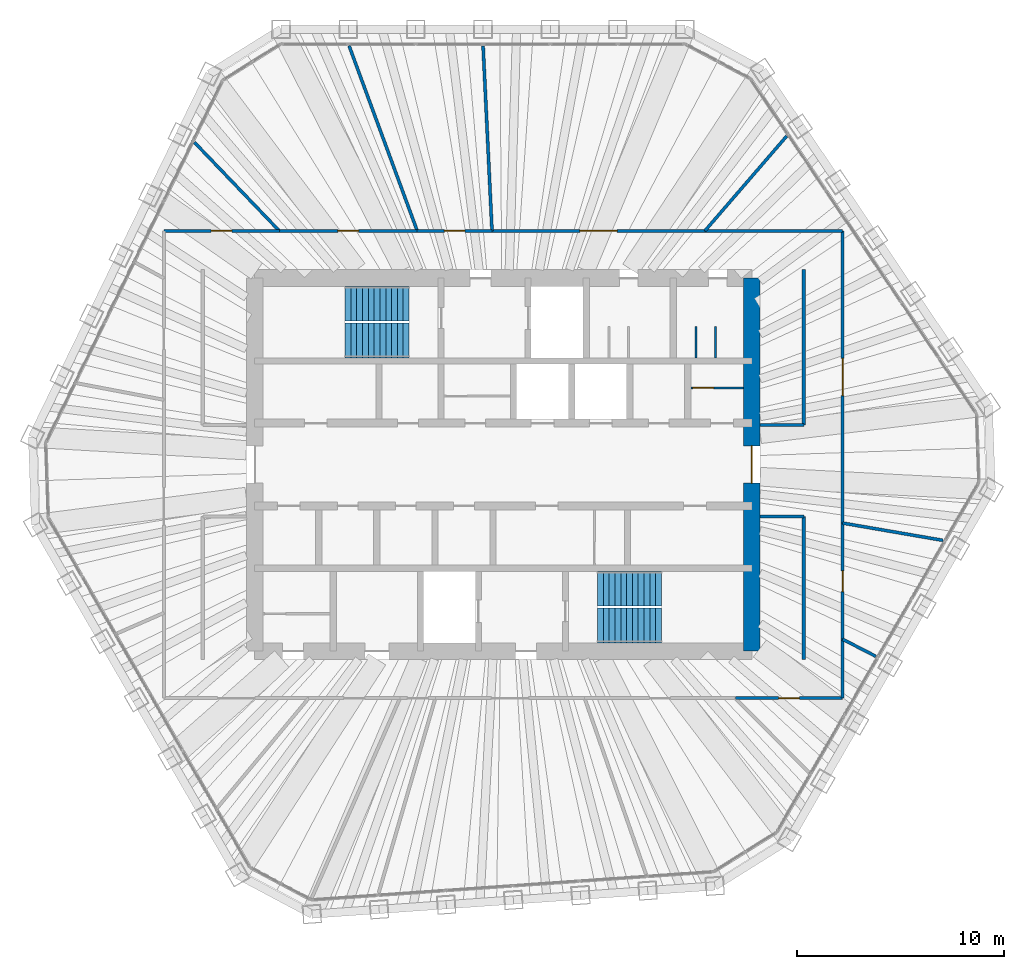
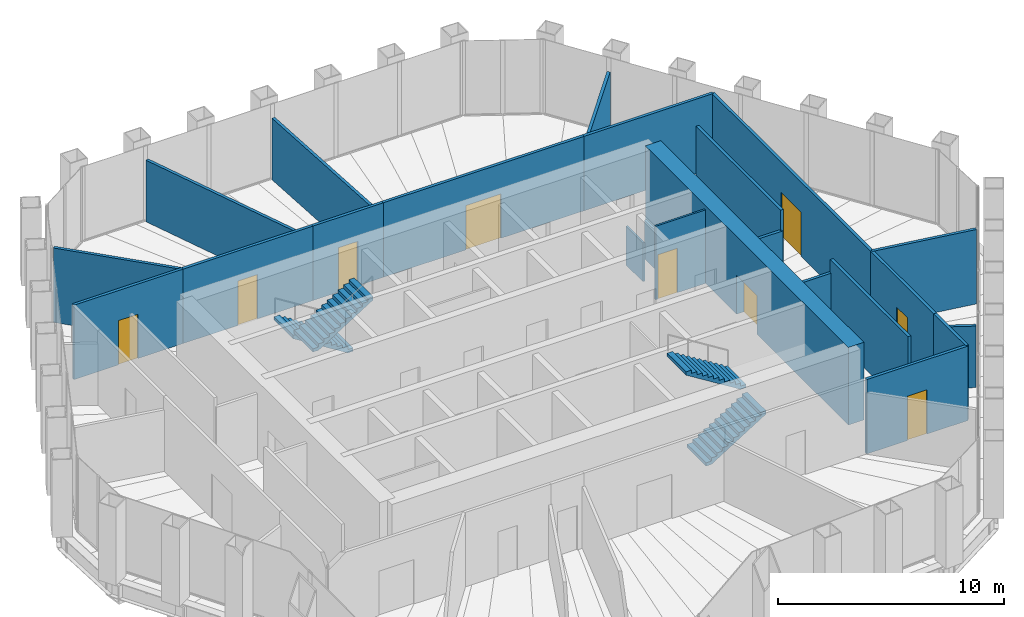
# One storey, part 13 of 14: 23 walls, 9 doors, 4 stair flights, 9 openings, 2 elements without a shape of their own.
"""IFC4 building model written with IfcOpenShell, lengths in metres."""

from ifc_helpers import new_model, si_unit, direction, frame, frame_2d, origin, place, context, subcontext, project, spatial, polyline, rectangle, outline, extrude, material, layer, layer_set, type_object, element, fill, aggregate, save


model = new_model("IFC4")

# Units and contexts
model_context = context("Model", 3, precision=1e-05, world=origin(), true_north=direction((0.0, 1.0)))
body_context = subcontext(model_context, "Body", "Model", "MODEL_VIEW")
ifc_project = project(units=[si_unit("LENGTHUNIT", "METRE"), si_unit("AREAUNIT", "SQUARE_METRE"), si_unit("VOLUMEUNIT", "CUBIC_METRE"), si_unit("PLANEANGLEUNIT", "RADIAN"), si_unit("MASSUNIT", "GRAM", prefix="KILO")], contexts=[model_context])

# Site, building, storey
site_placement = place(None, origin())
site = spatial("IfcSite", under=ifc_project, at=site_placement, CompositionType="ELEMENT")
building_placement = place(site_placement, origin())
building = spatial("IfcBuilding", under=site, at=building_placement, Name="Qingtian Harvest Tower", CompositionType="ELEMENT")
storey_placement = place(building_placement, frame((0.0, 0.0, 304.0)))
storey = spatial("IfcBuildingStorey", under=building, at=storey_placement, Name="L67", CompositionType="ELEMENT", Elevation=304.0)

# Wall, opening, door
ifc_material_1 = material(Name="Concrete fc' 70 MPa", Category="concrete")
ifc_layer_1 = layer(ifc_material_1, 0.800048828125)
ifc_layer_set_1 = layer_set([ifc_layer_1], Name="Core wall RC4 800")
wall_type_1 = type_object("IfcWallType", Name="Core wall RC4 800", PredefinedType="SHEAR", material=ifc_layer_set_1)
wall_1_placement = place(storey_placement, frame((12.0, -9.0, 0.0), z_axis=(0.0, 0.0, 1.0), x_axis=(0.0, 1.0, 0.0)))
wall_1 = element("IfcWall", 1, at=wall_1_placement, inside=storey, type_object=wall_type_1, Name="Core wall CE L67", PredefinedType="SHEAR", context=body_context, shape_type="SweptSolid", body=[
    extrude(rectangle(XDim=18.0, YDim=0.800048828125, at=frame_2d((9.0, 0.0))), origin(), (0.0, 0.0, 1.0), 4.199951171875),
])
opening_1_placement = place(wall_1_placement, frame((8.10009765625, 0.0, 0.0)))
opening_1 = element("IfcOpeningElement", 2, at=opening_1_placement, cuts=wall_1, Name="Opening FD2", PredefinedType="OPENING", context=body_context, shape_type="SweptSolid", body=[
    extrude(rectangle(XDim=1.800048828125, YDim=2.10009765625, at=frame_2d((0.89990234375, 1.050048828125))), frame((0.0, 0.409912109375, 0.0), z_axis=(0.0, -1.0, 0.0), x_axis=(1.0, 0.0, 0.0)), (0.0, 0.0, 1.0), 0.820068359375),
])
ifc_material_2 = material(Name="Steel-faced door leaf", Category="steel")
door_type_1 = type_object("IfcDoorType", Name="Fire door FD2 double 1 HR", OperationType="DOUBLE_DOOR_DOUBLE_SWING", PredefinedType="DOOR", material=ifc_material_2)
door_1_placement = place(opening_1_placement, origin())
door_1 = element("IfcDoor", 3, at=door_1_placement, inside=storey, type_object=door_type_1, Name="LOBBY-E door L67", OperationType="DOUBLE_DOOR_DOUBLE_SWING", OverallHeight=2.10009765625, OverallWidth=1.800048828125, PredefinedType="DOOR", context=body_context, shape_type="SweptSolid", body=[
    extrude(rectangle(XDim=1.800048828125, YDim=2.10009765625, at=frame_2d((0.89990234375, 1.050048828125))), frame((0.0, 0.02490234375, 0.0), z_axis=(0.0, -1.0, 0.0), x_axis=(1.0, 0.0, 0.0)), (0.0, 0.0, 1.0), 0.050048828125),
])
fill(opening_1, door_1)

# Walls
ifc_material_3 = material(Name="Gypsum board on steel studs", Category="steel")
ifc_layer_2 = layer(ifc_material_3, 0.14990234375)
ifc_layer_set_2 = layer_set([ifc_layer_2], Name="Partition PT1 150")
wall_type_2 = type_object("IfcWallType", Name="Partition PT1 150", PredefinedType="PARTITIONING", material=ifc_layer_set_2)
wall_2_placement = place(storey_placement, frame((13.678466796875, 15.850341796875, 0.0), z_axis=(0.0, 0.0, 1.0), x_axis=(-0.65333269737, -0.757070925704, 0.0)))
element("IfcWall", 4, at=wall_2_placement, inside=storey, type_object=wall_type_2, Name="Boardroom wall L67", PredefinedType="PARTITIONING", context=body_context, shape_type="SweptSolid", body=[
    extrude(rectangle(XDim=6.043701171875, YDim=0.14990234375, at=frame_2d((3.02197265625, 0.0))), origin(), (0.0, 0.0, 1.0), 3.330078125),
])
wall_3_placement = place(storey_placement, frame((9.72998046875, 11.27490234375, 0.0), z_axis=(0.0, 0.0, 1.0), x_axis=(1.0, 0.0, 0.0)))
element("IfcWall", 5, at=wall_3_placement, inside=storey, type_object=wall_type_2, Name="Boardroom wall L67", PredefinedType="PARTITIONING", context=body_context, shape_type="SweptSolid", body=[
    extrude(rectangle(XDim=6.64501953125, YDim=0.14990234375, at=frame_2d((3.322509765625, 0.0))), origin(), (0.0, 0.0, 1.0), 4.030029296875),
])

# Wall, opening, door
wall_4_placement = place(storey_placement, frame((16.375, 11.27490234375, 0.0), z_axis=(0.0, 0.0, 1.0), x_axis=(0.0, -1.0, 0.0)))
wall_4 = element("IfcWall", 6, at=wall_4_placement, inside=storey, type_object=wall_type_2, Name="Boardroom wall L67", PredefinedType="PARTITIONING", context=body_context, shape_type="SweptSolid", body=[
    extrude(rectangle(XDim=14.099609375, YDim=0.14990234375, at=frame_2d((7.0498046875, 0.0))), origin(), (0.0, 0.0, 1.0), 4.030029296875),
])
opening_2_placement = place(wall_4_placement, frame((6.14990234375, 0.0, 0.0)))
opening_2 = element("IfcOpeningElement", 7, at=opening_2_placement, cuts=wall_4, Name="Opening D3", PredefinedType="OPENING", context=body_context, shape_type="SweptSolid", body=[
    extrude(rectangle(XDim=1.800048828125, YDim=2.39990234375, at=frame_2d((0.89990234375, 1.199951171875))), frame((0.0, 0.0849609375, 0.0), z_axis=(0.0, -1.0, 0.0), x_axis=(1.0, 0.0, 0.0)), (0.0, 0.0, 1.0), 0.169921875),
])
ifc_material_4 = material(Name="Laminated timber door leaf", Category="wood")
door_type_2 = type_object("IfcDoorType", Name="Room door D3 double", OperationType="DOUBLE_DOOR_DOUBLE_SWING", PredefinedType="DOOR", material=ifc_material_4)
door_2_placement = place(opening_2_placement, origin())
door_2 = element("IfcDoor", 8, at=door_2_placement, inside=storey, type_object=door_type_2, Name="Boardroom door L67", OperationType="DOUBLE_DOOR_DOUBLE_SWING", OverallHeight=2.39990234375, OverallWidth=1.800048828125, PredefinedType="DOOR", context=body_context, shape_type="SweptSolid", body=[
    extrude(rectangle(XDim=1.800048828125, YDim=2.39990234375, at=frame_2d((0.89990234375, 1.199951171875))), frame((0.0, 0.02490234375, 0.0), z_axis=(0.0, -1.0, 0.0), x_axis=(1.0, 0.0, 0.0)), (0.0, 0.0, 1.0), 0.050048828125),
])
fill(opening_2, door_2)

# Wall
wall_5_placement = place(storey_placement, frame((21.218994140625, -3.66015625, 0.0), z_axis=(0.0, 0.0, 1.0), x_axis=(-0.98545065103, 0.169961802723, 0.0)))
element("IfcWall", 9, at=wall_5_placement, inside=storey, type_object=wall_type_2, Name="Private office wall L67", PredefinedType="PARTITIONING", context=body_context, shape_type="SweptSolid", body=[
    extrude(rectangle(XDim=4.91552734375, YDim=0.14990234375, at=frame_2d((2.457763671875, 0.0))), origin(), (0.0, 0.0, 1.0), 4.030029296875),
])

# Wall, opening, door
wall_6_placement = place(storey_placement, frame((16.375, -2.82470703125, 0.0), z_axis=(0.0, 0.0, 1.0), x_axis=(0.0, -1.0, 0.0)))
wall_6 = element("IfcWall", 10, at=wall_6_placement, inside=storey, type_object=wall_type_2, Name="Private office wall L67", PredefinedType="PARTITIONING", context=body_context, shape_type="SweptSolid", body=[
    extrude(rectangle(XDim=5.605712890625, YDim=0.14990234375, at=frame_2d((2.802734375, 0.0))), origin(), (0.0, 0.0, 1.0), 4.030029296875),
])
opening_3_placement = place(wall_6_placement, frame((2.302978515625, 0.0, 0.0)))
opening_3 = element("IfcOpeningElement", 11, at=opening_3_placement, cuts=wall_6, Name="Opening D2", PredefinedType="OPENING", context=body_context, shape_type="SweptSolid", body=[
    extrude(rectangle(XDim=1.0, YDim=2.39990234375, at=frame_2d((0.5, 1.199951171875))), frame((0.0, 0.0849609375, 0.0), z_axis=(0.0, -1.0, 0.0), x_axis=(1.0, 0.0, 0.0)), (0.0, 0.0, 1.0), 0.169921875),
])
ifc_material_5 = material(Name="Laminated timber door leaf", Category="wood")
door_type_3 = type_object("IfcDoorType", Name="Room door D2 single", OperationType="SINGLE_SWING_LEFT", PredefinedType="DOOR", material=ifc_material_5)
door_3_placement = place(opening_3_placement, origin())
door_3 = element("IfcDoor", 12, at=door_3_placement, inside=storey, type_object=door_type_3, Name="Private office door L67", OperationType="SINGLE_SWING_LEFT", OverallHeight=2.39990234375, OverallWidth=1.0, PredefinedType="DOOR", context=body_context, shape_type="SweptSolid", body=[
    extrude(rectangle(XDim=1.0, YDim=2.39990234375, at=frame_2d((0.5, 1.199951171875))), frame((0.0, 0.02490234375, 0.0), z_axis=(0.0, -1.0, 0.0), x_axis=(1.0, 0.0, 0.0)), (0.0, 0.0, 1.0), 0.050048828125),
])
fill(opening_3, door_3)

# Walls
wall_7_placement = place(storey_placement, frame((17.98046875, -9.257080078125, 0.0), z_axis=(0.0, 0.0, 1.0), x_axis=(-0.889064606085, 0.457781745165, 0.0)))
element("IfcWall", 13, at=wall_7_placement, inside=storey, type_object=wall_type_2, Name="Private office wall L67", PredefinedType="PARTITIONING", context=body_context, shape_type="SweptSolid", body=[
    extrude(rectangle(XDim=1.805908203125, YDim=0.14990234375, at=frame_2d((0.90283203125, 0.0))), origin(), (0.0, 0.0, 1.0), 3.330078125),
])
wall_8_placement = place(storey_placement, frame((16.375, -8.430419921875, 0.0), z_axis=(0.0, 0.0, 1.0), x_axis=(0.0, -1.0, 0.0)))
element("IfcWall", 14, at=wall_8_placement, inside=storey, type_object=wall_type_2, Name="Private office wall L67", PredefinedType="PARTITIONING", context=body_context, shape_type="SweptSolid", body=[
    extrude(rectangle(XDim=2.844482421875, YDim=0.14990234375, at=frame_2d((1.42236328125, 0.0))), origin(), (0.0, 0.0, 1.0), 4.030029296875),
])

# Wall, opening, door
wall_9_placement = place(storey_placement, frame((16.375, -11.27490234375, 0.0), z_axis=(0.0, 0.0, 1.0), x_axis=(-1.0, 0.0, 0.0)))
wall_9 = element("IfcWall", 15, at=wall_9_placement, inside=storey, type_object=wall_type_2, Name="Private office wall L67", PredefinedType="PARTITIONING", context=body_context, shape_type="SweptSolid", body=[
    extrude(rectangle(XDim=5.180908203125, YDim=0.14990234375, at=frame_2d((2.59033203125, 0.0))), origin(), (0.0, 0.0, 1.0), 4.030029296875),
])
opening_4_placement = place(wall_9_placement, frame((2.090576171875, 0.0, 0.0)))
opening_4 = element("IfcOpeningElement", 16, at=opening_4_placement, cuts=wall_9, Name="Opening D2", PredefinedType="OPENING", context=body_context, shape_type="SweptSolid", body=[
    extrude(rectangle(XDim=1.0, YDim=2.39990234375, at=frame_2d((0.5, 1.199951171875))), frame((0.0, 0.0849609375, 0.0), z_axis=(0.0, -1.0, 0.0), x_axis=(1.0, 0.0, 0.0)), (0.0, 0.0, 1.0), 0.169921875),
])
door_4_placement = place(opening_4_placement, origin())
door_4 = element("IfcDoor", 17, at=door_4_placement, inside=storey, type_object=door_type_3, Name="Private office door L67", OperationType="SINGLE_SWING_LEFT", OverallHeight=2.39990234375, OverallWidth=1.0, PredefinedType="DOOR", context=body_context, shape_type="SweptSolid", body=[
    extrude(rectangle(XDim=1.0, YDim=2.39990234375, at=frame_2d((0.5, 1.199951171875))), frame((0.0, 0.02490234375, 0.0), z_axis=(0.0, -1.0, 0.0), x_axis=(1.0, 0.0, 0.0)), (0.0, 0.0, 1.0), 0.050048828125),
])
fill(opening_4, door_4)

wall_10_placement = place(storey_placement, frame((-16.375, 11.27490234375, 0.0), z_axis=(0.0, 0.0, 1.0), x_axis=(1.0, 0.0, 0.0)))
wall_10 = element("IfcWall", 18, at=wall_10_placement, inside=storey, type_object=wall_type_2, Name="Meeting room wall L67", PredefinedType="PARTITIONING", context=body_context, shape_type="SweptSolid", body=[
    extrude(rectangle(XDim=5.567626953125, YDim=0.14990234375, at=frame_2d((2.78369140625, 0.0))), origin(), (0.0, 0.0, 1.0), 4.030029296875),
])
opening_5_placement = place(wall_10_placement, frame((2.28369140625, 0.0, 0.0)))
opening_5 = element("IfcOpeningElement", 19, at=opening_5_placement, cuts=wall_10, Name="Opening D2", PredefinedType="OPENING", context=body_context, shape_type="SweptSolid", body=[
    extrude(rectangle(XDim=1.0, YDim=2.39990234375, at=frame_2d((0.5, 1.199951171875))), frame((0.0, 0.0849609375, 0.0), z_axis=(0.0, -1.0, 0.0), x_axis=(1.0, 0.0, 0.0)), (0.0, 0.0, 1.0), 0.169921875),
])
door_5_placement = place(opening_5_placement, origin())
door_5 = element("IfcDoor", 20, at=door_5_placement, inside=storey, type_object=door_type_3, Name="Meeting room door L67", OperationType="SINGLE_SWING_RIGHT", OverallHeight=2.39990234375, OverallWidth=1.0, PredefinedType="DOOR", context=body_context, shape_type="SweptSolid", body=[
    extrude(rectangle(XDim=1.0, YDim=2.39990234375, at=frame_2d((0.5, 1.199951171875))), frame((0.0, 0.02490234375, 0.0), z_axis=(0.0, -1.0, 0.0), x_axis=(1.0, 0.0, 0.0)), (0.0, 0.0, 1.0), 0.050048828125),
])
fill(opening_5, door_5)

# Wall
wall_11_placement = place(storey_placement, frame((-14.89990234375, 15.54443359375, 0.0), z_axis=(0.0, 0.0, 1.0), x_axis=(0.691984258941, -0.72191258846, 0.0)))
element("IfcWall", 21, at=wall_11_placement, inside=storey, type_object=wall_type_2, Name="Workplace zone wall L67", PredefinedType="PARTITIONING", context=body_context, shape_type="SweptSolid", body=[
    extrude(rectangle(XDim=5.914306640625, YDim=0.14990234375, at=frame_2d((2.95703125, 0.0))), origin(), (0.0, 0.0, 1.0), 4.030029296875),
])

# Wall, opening, door
wall_12_placement = place(storey_placement, frame((-10.807373046875, 11.27490234375, 0.0), z_axis=(0.0, 0.0, 1.0), x_axis=(1.0, 0.0, 0.0)))
wall_12 = element("IfcWall", 22, at=wall_12_placement, inside=storey, type_object=wall_type_2, Name="Workplace zone wall L67", PredefinedType="PARTITIONING", context=body_context, shape_type="SweptSolid", body=[
    extrude(rectangle(XDim=6.656005859375, YDim=0.14990234375, at=frame_2d((3.328125, 0.0))), origin(), (0.0, 0.0, 1.0), 4.030029296875),
])
opening_6_placement = place(wall_12_placement, frame((2.828125, 0.0, 0.0)))
opening_6 = element("IfcOpeningElement", 23, at=opening_6_placement, cuts=wall_12, Name="Opening D2", PredefinedType="OPENING", context=body_context, shape_type="SweptSolid", body=[
    extrude(rectangle(XDim=1.0, YDim=2.39990234375, at=frame_2d((0.5, 1.199951171875))), frame((0.0, 0.0849609375, 0.0), z_axis=(0.0, -1.0, 0.0), x_axis=(1.0, 0.0, 0.0)), (0.0, 0.0, 1.0), 0.169921875),
])
door_6_placement = place(opening_6_placement, origin())
door_6 = element("IfcDoor", 24, at=door_6_placement, inside=storey, type_object=door_type_3, Name="Workplace zone door L67", OperationType="SINGLE_SWING_LEFT", OverallHeight=2.39990234375, OverallWidth=1.0, PredefinedType="DOOR", context=body_context, shape_type="SweptSolid", body=[
    extrude(rectangle(XDim=1.0, YDim=2.39990234375, at=frame_2d((0.5, 1.199951171875))), frame((0.0, 0.02490234375, 0.0), z_axis=(0.0, -1.0, 0.0), x_axis=(1.0, 0.0, 0.0)), (0.0, 0.0, 1.0), 0.050048828125),
])
fill(opening_6, door_6)

# Wall
wall_13_placement = place(storey_placement, frame((-7.439697265625, 20.2060546875, 0.0), z_axis=(0.0, 0.0, 1.0), x_axis=(0.345511582319, -0.93841448544, 0.0)))
element("IfcWall", 25, at=wall_13_placement, inside=storey, type_object=wall_type_2, Name="Quiet room wall L67", PredefinedType="PARTITIONING", context=body_context, shape_type="SweptSolid", body=[
    extrude(rectangle(XDim=9.517333984375, YDim=0.14990234375, at=frame_2d((4.7587890625, 0.0))), origin(), (0.0, 0.0, 1.0), 3.330078125),
])

# Wall, opening, door
wall_14_placement = place(storey_placement, frame((-4.1513671875, 11.27490234375, 0.0), z_axis=(0.0, 0.0, 1.0), x_axis=(1.0, 0.0, 0.0)))
wall_14 = element("IfcWall", 26, at=wall_14_placement, inside=storey, type_object=wall_type_2, Name="Quiet room wall L67", PredefinedType="PARTITIONING", context=body_context, shape_type="SweptSolid", body=[
    extrude(rectangle(XDim=3.608154296875, YDim=0.14990234375, at=frame_2d((1.80419921875, 0.0))), origin(), (0.0, 0.0, 1.0), 4.030029296875),
])
opening_7_placement = place(wall_14_placement, frame((1.303955078125, 0.0, 0.0)))
opening_7 = element("IfcOpeningElement", 27, at=opening_7_placement, cuts=wall_14, Name="Opening D2", PredefinedType="OPENING", context=body_context, shape_type="SweptSolid", body=[
    extrude(rectangle(XDim=1.0, YDim=2.39990234375, at=frame_2d((0.5, 1.199951171875))), frame((0.0, 0.0849609375, 0.0), z_axis=(0.0, -1.0, 0.0), x_axis=(1.0, 0.0, 0.0)), (0.0, 0.0, 1.0), 0.169921875),
])
door_7_placement = place(opening_7_placement, origin())
door_7 = element("IfcDoor", 28, at=door_7_placement, inside=storey, type_object=door_type_3, Name="Quiet room door L67", OperationType="SINGLE_SWING_LEFT", OverallHeight=2.39990234375, OverallWidth=1.0, PredefinedType="DOOR", context=body_context, shape_type="SweptSolid", body=[
    extrude(rectangle(XDim=1.0, YDim=2.39990234375, at=frame_2d((0.5, 1.199951171875))), frame((0.0, 0.02490234375, 0.0), z_axis=(0.0, -1.0, 0.0), x_axis=(1.0, 0.0, 0.0)), (0.0, 0.0, 1.0), 0.050048828125),
])
fill(opening_7, door_7)

# Wall
wall_15_placement = place(storey_placement, frame((-0.973388671875, 20.2001953125, 0.0), z_axis=(0.0, 0.0, 1.0), x_axis=(0.04814150135, -0.998840525734, 0.0)))
element("IfcWall", 29, at=wall_15_placement, inside=storey, type_object=wall_type_2, Name="Meeting room wall L67", PredefinedType="PARTITIONING", context=body_context, shape_type="SweptSolid", body=[
    extrude(rectangle(XDim=8.935546875, YDim=0.14990234375, at=frame_2d((4.4677734375, 0.0))), origin(), (0.0, 0.0, 1.0), 3.330078125),
])

# Wall, opening, door
wall_16_placement = place(storey_placement, frame((-0.543212890625, 11.27490234375, 0.0), z_axis=(0.0, 0.0, 1.0), x_axis=(1.0, 0.0, 0.0)))
wall_16 = element("IfcWall", 30, at=wall_16_placement, inside=storey, type_object=wall_type_2, Name="Meeting room wall L67", PredefinedType="PARTITIONING", context=body_context, shape_type="SweptSolid", body=[
    extrude(rectangle(XDim=10.273193359375, YDim=0.14990234375, at=frame_2d((5.13671875, 0.0))), origin(), (0.0, 0.0, 1.0), 4.030029296875),
])
opening_8_placement = place(wall_16_placement, frame((4.236572265625, 0.0, 0.0)))
opening_8 = element("IfcOpeningElement", 31, at=opening_8_placement, cuts=wall_16, Name="Opening D3", PredefinedType="OPENING", context=body_context, shape_type="SweptSolid", body=[
    extrude(rectangle(XDim=1.800048828125, YDim=2.39990234375, at=frame_2d((0.89990234375, 1.199951171875))), frame((0.0, 0.0849609375, 0.0), z_axis=(0.0, -1.0, 0.0), x_axis=(1.0, 0.0, 0.0)), (0.0, 0.0, 1.0), 0.169921875),
])
door_8_placement = place(opening_8_placement, origin())
door_8 = element("IfcDoor", 32, at=door_8_placement, inside=storey, type_object=door_type_2, Name="Meeting room door L67", OperationType="DOUBLE_DOOR_DOUBLE_SWING", OverallHeight=2.39990234375, OverallWidth=1.800048828125, PredefinedType="DOOR", context=body_context, shape_type="SweptSolid", body=[
    extrude(rectangle(XDim=1.800048828125, YDim=2.39990234375, at=frame_2d((0.89990234375, 1.199951171875))), frame((0.0, 0.02490234375, 0.0), z_axis=(0.0, -1.0, 0.0), x_axis=(1.0, 0.0, 0.0)), (0.0, 0.0, 1.0), 0.050048828125),
])
fill(opening_8, door_8)

# Walls
wall_17_placement = place(storey_placement, frame((14.5, 1.89990234375, 0.0), z_axis=(0.0, 0.0, 1.0), x_axis=(0.0, 1.0, 0.0)))
element("IfcWall", 33, at=wall_17_placement, inside=storey, type_object=wall_type_2, Name="Coffee point wall L67", PredefinedType="PARTITIONING", context=body_context, shape_type="SweptSolid", body=[
    extrude(rectangle(XDim=7.5, YDim=0.14990234375, at=frame_2d((3.75, 0.0))), origin(), (0.0, 0.0, 1.0), 4.030029296875),
])
wall_18_placement = place(storey_placement, frame((12.39990234375, 1.89990234375, 0.0), z_axis=(0.0, 0.0, 1.0), x_axis=(1.0, 0.0, 0.0)))
element("IfcWall", 34, at=wall_18_placement, inside=storey, type_object=wall_type_2, Name="Coffee point wall L67", PredefinedType="PARTITIONING", context=body_context, shape_type="SweptSolid", body=[
    extrude(rectangle(XDim=2.10009765625, YDim=0.14990234375, at=frame_2d((1.050048828125, 0.0))), origin(), (0.0, 0.0, 1.0), 2.929931640625),
])
wall_19_placement = place(storey_placement, frame((14.5, -9.39990234375, 0.0), z_axis=(0.0, 0.0, 1.0), x_axis=(0.0, 1.0, 0.0)))
element("IfcWall", 35, at=wall_19_placement, inside=storey, type_object=wall_type_2, Name="Print area wall L67", PredefinedType="PARTITIONING", context=body_context, shape_type="SweptSolid", body=[
    extrude(rectangle(XDim=6.89990234375, YDim=0.14990234375, at=frame_2d((3.449951171875, 0.0))), origin(), (0.0, 0.0, 1.0), 4.030029296875),
])
wall_20_placement = place(storey_placement, frame((12.39990234375, -2.5, 0.0), z_axis=(0.0, 0.0, 1.0), x_axis=(1.0, 0.0, 0.0)))
element("IfcWall", 36, at=wall_20_placement, inside=storey, type_object=wall_type_2, Name="Print area wall L67", PredefinedType="PARTITIONING", context=body_context, shape_type="SweptSolid", body=[
    extrude(rectangle(XDim=2.10009765625, YDim=0.14990234375, at=frame_2d((1.050048828125, 0.0))), origin(), (0.0, 0.0, 1.0), 3.330078125),
])

# Wall, opening, door
ifc_material_6 = material(Name="Concrete block partition", Category="concrete")
ifc_layer_3 = layer(ifc_material_6, 0.10009765625)
ifc_layer_set_3 = layer_set([ifc_layer_3], Name="Store partition PT3 100")
wall_type_3 = type_object("IfcWallType", Name="Store partition PT3 100", PredefinedType="PARTITIONING", material=ifc_layer_set_3)
wall_21_placement = place(storey_placement, frame((9.050048828125, 3.699951171875, 0.0), z_axis=(0.0, 0.0, 1.0), x_axis=(1.0, 0.0, 0.0)))
wall_21 = element("IfcWall", 37, at=wall_21_placement, inside=storey, type_object=wall_type_3, Name="Filter plant room wall L67", PredefinedType="PARTITIONING", context=body_context, shape_type="SweptSolid", body=[
    extrude(rectangle(XDim=2.550048828125, YDim=0.10009765625, at=frame_2d((1.27490234375, 0.0))), origin(), (0.0, 0.0, 1.0), 3.97998046875),
])
opening_9_placement = place(wall_21_placement, frame((0.10009765625, 0.0, 0.0)))
opening_9 = element("IfcOpeningElement", 38, at=opening_9_placement, cuts=wall_21, Name="Opening D2", PredefinedType="OPENING", context=body_context, shape_type="SweptSolid", body=[
    extrude(rectangle(XDim=1.0, YDim=2.39990234375, at=frame_2d((0.5, 1.199951171875))), frame((0.0, 0.06005859375, 0.0), z_axis=(0.0, -1.0, 0.0), x_axis=(1.0, 0.0, 0.0)), (0.0, 0.0, 1.0), 0.1201171875),
])
door_9_placement = place(opening_9_placement, origin())
door_9 = element("IfcDoor", 39, at=door_9_placement, inside=storey, type_object=door_type_3, Name="Filter plant room door L67", OperationType="SINGLE_SWING_RIGHT", OverallHeight=2.39990234375, OverallWidth=1.0, PredefinedType="DOOR", context=body_context, shape_type="SweptSolid", body=[
    extrude(rectangle(XDim=1.0, YDim=2.39990234375, at=frame_2d((0.5, 1.199951171875))), frame((0.0, 0.02490234375, 0.0), z_axis=(0.0, -1.0, 0.0), x_axis=(1.0, 0.0, 0.0)), (0.0, 0.0, 1.0), 0.050048828125),
])
fill(opening_9, door_9)

# Walls
ifc_material_7 = material(Name="Compact laminate cubicle partition", Category="plastic")
ifc_layer_4 = layer(ifc_material_7, 0.10009765625)
ifc_layer_set_4 = layer_set([ifc_layer_4], Name="WC cubicle partition WP1 100")
wall_type_4 = type_object("IfcWallType", Name="WC cubicle partition WP1 100", PredefinedType="PARTITIONING", material=ifc_layer_set_4)
for number, where, z_axis, x_axis, name in (
    (40, (9.300048828125, 5.14990234375, 0.0), (0.0, 0.0, 1.0), (0.0, 1.0, 0.0), "WC cubicle partition WCF L67"),
    (41, (10.25, 5.14990234375, 0.0), (0.0, 0.0, 1.0), (0.0, 1.0, 0.0), "WC cubicle partition WCF L67"),
):
    element("IfcWall", number, at=place(storey_placement, frame(where, z_axis=z_axis, x_axis=x_axis)), inside=storey, type_object=wall_type_4, Name=name, PredefinedType="PARTITIONING", context=body_context, shape_type="SweptSolid", body=[
        extrude(rectangle(XDim=1.5, YDim=0.10009765625, at=frame_2d((0.75, 0.0))), origin(), (0.0, 0.0, 1.0), 2.10009765625),
    ])

# Stair, stair flights
ifc_material_8 = material(Name="Concrete fc' 35 MPa", Category="concrete")
stair_type = type_object("IfcStairType", Name="Special stair ST7 4200", PredefinedType="HALF_TURN_STAIR", material=ifc_material_8)
stair_1_placement = place(storey_placement, origin())
stair_1 = element("IfcStair", 42, at=stair_1_placement, inside=storey, type_object=stair_type, Name="Special stair S1 L67", PredefinedType="HALF_TURN_STAIR")
ifc_material_9 = material(Name="Concrete fc' 35 MPa", Category="concrete")
stair_flight_type = type_object("IfcStairFlightType", Name="Stair flight SF7 4200", PredefinedType="STRAIGHT", material=ifc_material_9)
stair_flight_1_placement = place(storey_placement, frame((-4.550048828125, 7.762451171875, 0.0), z_axis=(0.0, 0.0, 1.0), x_axis=(-1.0, 0.0, 0.0)))
stair_flight_1 = element("IfcStairFlight", 43, at=stair_flight_1_placement, type_object=stair_flight_type, Name="S1 flight 1", NumberOfRisers=12, NumberOfTreads=11, PredefinedType="STRAIGHT", RiserHeight=0.175, TreadLength=0.28, context=body_context, shape_type="SweptSolid", body=[
    extrude(outline(polyline([(0.0, 0.0), (0.0, 0.175048828125), (0.280029296875, 0.175048828125), (0.280029296875, 0.35009765625), (0.56005859375, 0.35009765625), (0.56005859375, 0.52490234375), (0.840087890625, 0.52490234375), (0.840087890625, 0.699951171875), (1.1201171875, 0.699951171875), (1.1201171875, 0.875), (1.39990234375, 0.875), (1.39990234375, 1.050048828125), (1.679931640625, 1.050048828125), (1.679931640625, 1.22509765625), (1.9599609375, 1.22509765625), (1.9599609375, 1.39990234375), (2.239990234375, 1.39990234375), (2.239990234375, 1.574951171875), (2.52001953125, 1.574951171875), (2.52001953125, 1.75), (2.800048828125, 1.75), (2.800048828125, 1.925048828125), (3.080078125, 1.925048828125), (3.080078125, 2.10009765625), (3.080078125, 1.748291015625), (0.28271484375, 0.0), (0.0, 0.0)])), frame((0.0, 0.83740234375, 0.0), z_axis=(0.0, -1.0, 0.0), x_axis=(1.0, 0.0, 0.0)), (0.0, 0.0, 1.0), 1.675048828125),
])
stair_flight_2_placement = place(storey_placement, frame((-7.6298828125, 5.987548828125, 2.10009765625), z_axis=(0.0, 0.0, 1.0), x_axis=(1.0, 0.0, 0.0)))
stair_flight_2 = element("IfcStairFlight", 44, at=stair_flight_2_placement, type_object=stair_flight_type, Name="S1 flight 2", NumberOfRisers=12, NumberOfTreads=11, PredefinedType="STRAIGHT", RiserHeight=0.175, TreadLength=0.28, context=body_context, shape_type="SweptSolid", body=[
    extrude(outline(polyline([(0.0, 0.0), (0.0, 0.175048828125), (0.280029296875, 0.175048828125), (0.280029296875, 0.35009765625), (0.56005859375, 0.35009765625), (0.56005859375, 0.52490234375), (0.840087890625, 0.52490234375), (0.840087890625, 0.699951171875), (1.1201171875, 0.699951171875), (1.1201171875, 0.875), (1.39990234375, 0.875), (1.39990234375, 1.050048828125), (1.679931640625, 1.050048828125), (1.679931640625, 1.22509765625), (1.9599609375, 1.22509765625), (1.9599609375, 1.39990234375), (2.239990234375, 1.39990234375), (2.239990234375, 1.574951171875), (2.52001953125, 1.574951171875), (2.52001953125, 1.75), (2.800048828125, 1.75), (2.800048828125, 1.925048828125), (3.080078125, 1.925048828125), (3.080078125, 2.10009765625), (3.080078125, 1.748291015625), (0.28271484375, 0.0), (0.0, 0.0)])), frame((0.0, 0.83740234375, 0.0), z_axis=(0.0, -1.0, 0.0), x_axis=(1.0, 0.0, 0.0)), (0.0, 0.0, 1.0), 1.675048828125),
])
aggregate(stair_1, [stair_flight_1, stair_flight_2])

stair_2_placement = place(storey_placement, origin())
stair_2 = element("IfcStair", 45, at=stair_2_placement, inside=storey, type_object=stair_type, Name="Special stair S2 L67", PredefinedType="HALF_TURN_STAIR")
stair_flight_3_placement = place(storey_placement, frame((4.550048828125, -7.762451171875, 0.0), z_axis=(0.0, 0.0, 1.0), x_axis=(1.0, 0.0, 0.0)))
stair_flight_3 = element("IfcStairFlight", 46, at=stair_flight_3_placement, type_object=stair_flight_type, Name="S2 flight 1", NumberOfRisers=12, NumberOfTreads=11, PredefinedType="STRAIGHT", RiserHeight=0.175, TreadLength=0.28, context=body_context, shape_type="SweptSolid", body=[
    extrude(outline(polyline([(0.0, 0.0), (0.0, 0.175048828125), (0.280029296875, 0.175048828125), (0.280029296875, 0.35009765625), (0.56005859375, 0.35009765625), (0.56005859375, 0.52490234375), (0.840087890625, 0.52490234375), (0.840087890625, 0.699951171875), (1.1201171875, 0.699951171875), (1.1201171875, 0.875), (1.39990234375, 0.875), (1.39990234375, 1.050048828125), (1.679931640625, 1.050048828125), (1.679931640625, 1.22509765625), (1.9599609375, 1.22509765625), (1.9599609375, 1.39990234375), (2.239990234375, 1.39990234375), (2.239990234375, 1.574951171875), (2.52001953125, 1.574951171875), (2.52001953125, 1.75), (2.800048828125, 1.75), (2.800048828125, 1.925048828125), (3.080078125, 1.925048828125), (3.080078125, 2.10009765625), (3.080078125, 1.748291015625), (0.28271484375, 0.0), (0.0, 0.0)])), frame((0.0, 0.83740234375, 0.0), z_axis=(0.0, -1.0, 0.0), x_axis=(1.0, 0.0, 0.0)), (0.0, 0.0, 1.0), 1.675048828125),
])
stair_flight_4_placement = place(storey_placement, frame((7.6298828125, -5.987548828125, 2.10009765625), z_axis=(0.0, 0.0, 1.0), x_axis=(-1.0, 0.0, 0.0)))
stair_flight_4 = element("IfcStairFlight", 47, at=stair_flight_4_placement, type_object=stair_flight_type, Name="S2 flight 2", NumberOfRisers=12, NumberOfTreads=11, PredefinedType="STRAIGHT", RiserHeight=0.175, TreadLength=0.28, context=body_context, shape_type="SweptSolid", body=[
    extrude(outline(polyline([(0.0, 0.0), (0.0, 0.175048828125), (0.280029296875, 0.175048828125), (0.280029296875, 0.35009765625), (0.56005859375, 0.35009765625), (0.56005859375, 0.52490234375), (0.840087890625, 0.52490234375), (0.840087890625, 0.699951171875), (1.1201171875, 0.699951171875), (1.1201171875, 0.875), (1.39990234375, 0.875), (1.39990234375, 1.050048828125), (1.679931640625, 1.050048828125), (1.679931640625, 1.22509765625), (1.9599609375, 1.22509765625), (1.9599609375, 1.39990234375), (2.239990234375, 1.39990234375), (2.239990234375, 1.574951171875), (2.52001953125, 1.574951171875), (2.52001953125, 1.75), (2.800048828125, 1.75), (2.800048828125, 1.925048828125), (3.080078125, 1.925048828125), (3.080078125, 2.10009765625), (3.080078125, 1.748291015625), (0.28271484375, 0.0), (0.0, 0.0)])), frame((0.0, 0.83740234375, 0.0), z_axis=(0.0, -1.0, 0.0), x_axis=(1.0, 0.0, 0.0)), (0.0, 0.0, 1.0), 1.675048828125),
])
aggregate(stair_2, [stair_flight_3, stair_flight_4])

save(model, "model.ifc")
